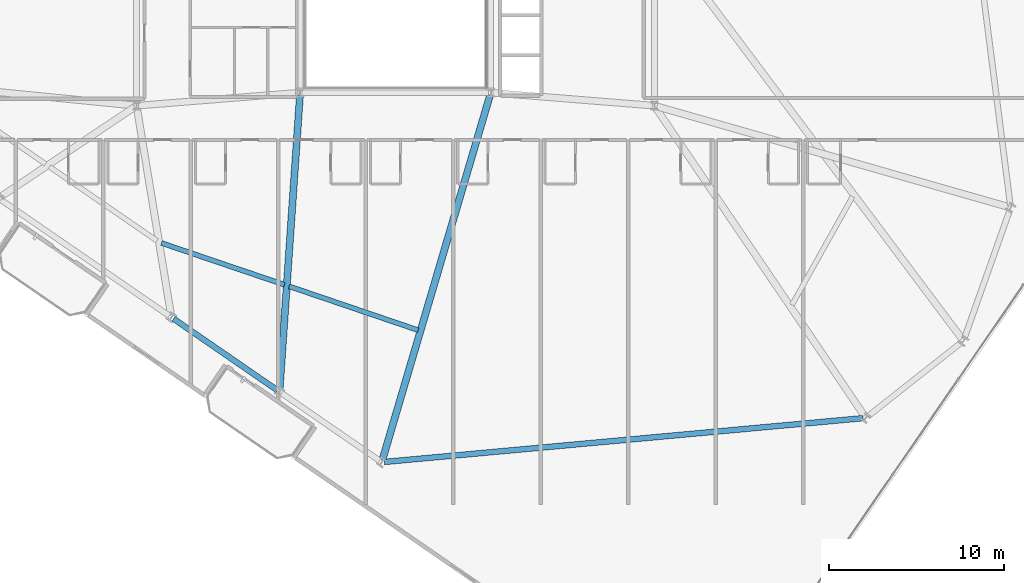
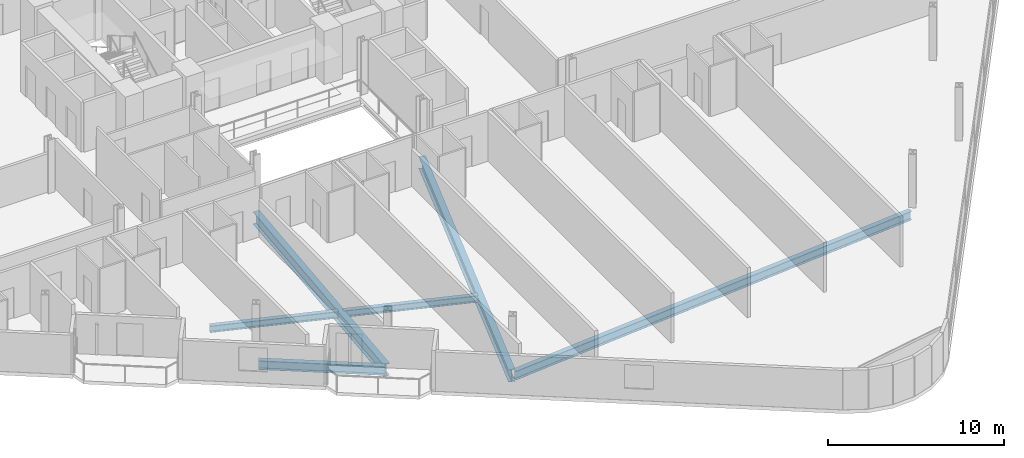
# One storey, part 3 of 27: 6 beams.
"""IFC4 building model written with IfcOpenShell, lengths in metres."""

from ifc_helpers import new_model, si_unit, direction, frame, origin, origin_2d, place, context, subcontext, project, spatial, i_section, extrude, material, material_profile, profile_set, type_object, element, save


model = new_model("IFC4")

# Units and contexts
model_context = context("Model", 3, precision=1e-05, world=origin(), true_north=direction((0.0, 1.0)))
body_context = subcontext(model_context, "Body", "Model", "MODEL_VIEW")
ifc_project = project(units=[si_unit("LENGTHUNIT", "METRE"), si_unit("AREAUNIT", "SQUARE_METRE"), si_unit("VOLUMEUNIT", "CUBIC_METRE"), si_unit("PLANEANGLEUNIT", "RADIAN"), si_unit("MASSUNIT", "GRAM", prefix="KILO")], contexts=[model_context])

# Site, building, storey
site_placement = place(None, origin())
site = spatial("IfcSite", under=ifc_project, at=site_placement, CompositionType="ELEMENT")
building_placement = place(site_placement, origin())
building = spatial("IfcBuilding", under=site, at=building_placement, Name="Varnelok Gate Tower", CompositionType="ELEMENT")
storey_placement = place(building_placement, frame((0.0, 0.0, 30.699951171875)))
storey = spatial("IfcBuildingStorey", under=building, at=storey_placement, Name="L06", CompositionType="ELEMENT", Elevation=30.699951171875)

# Beams
ifc_material = material(Name="Structural Steel ASTM A992 Grade 50", Category="steel")
ifc_material_profile_1 = material_profile(ifc_material, i_section(OverallWidth=0.280029296875, OverallDepth=0.462890625, WebThickness=0.0107421875, FlangeThickness=0.017333984375, FilletRadius=0.014892578125, at=origin_2d()), Name="W18X76")
ifc_profile_set_1 = profile_set([ifc_material_profile_1], Name="Structural Steel ASTM A992 Grade 50")
beam_type_1 = type_object("IfcBeamType", Name="BM-JST-W18X76", PredefinedType="JOIST", material=ifc_profile_set_1)
beam_1_placement = place(storey_placement, frame((25.81689453125, 10.95361328125, -0.4814453125), z_axis=(0.946964599395, -0.321337902358, 0.0), x_axis=(0.321337902358, 0.946964599395, 0.0)))
element("IfcBeam", 1, at=beam_1_placement, inside=storey, type_object=beam_type_1, Name="L06 Sector Floor Joist 3", PredefinedType="JOIST", context=body_context, shape_type="SweptSolid", body=[
    extrude(i_section(OverallWidth=0.280029296875, OverallDepth=0.462890625, WebThickness=0.0107421875, FlangeThickness=0.017333984375, FilletRadius=0.014892578125, at=origin_2d()), origin(), (0.0, 0.0, 1.0), 7.431884765625),
])
beam_2_placement = place(storey_placement, frame((33.119873046875, 8.4755859375, -0.4814453125), z_axis=(0.946770261525, -0.321910036953, 0.0), x_axis=(0.321910036953, 0.946770261525, 0.0)))
element("IfcBeam", 2, at=beam_2_placement, inside=storey, type_object=beam_type_1, Name="L06 Sector Floor Joist 4", PredefinedType="JOIST", context=body_context, shape_type="SweptSolid", body=[
    extrude(i_section(OverallWidth=0.280029296875, OverallDepth=0.462890625, WebThickness=0.0107421875, FlangeThickness=0.017333984375, FilletRadius=0.014892578125, at=origin_2d()), origin(), (0.0, 0.0, 1.0), 7.79052734375),
])
ifc_material_profile_2 = material_profile(ifc_material, i_section(OverallWidth=0.39892578125, OverallDepth=0.85498046875, WebThickness=0.018310546875, FlangeThickness=0.029296875, FilletRadius=0.02392578125, at=origin_2d()), Name="W33X201")
ifc_profile_set_2 = profile_set([ifc_material_profile_2], Name="Structural Steel ASTM A992 Grade 50")
beam_type_2 = type_object("IfcBeamType", Name="BM-PRI-W33X201", PredefinedType="BEAM", material=ifc_profile_set_2)
beam_3_placement = place(storey_placement, frame((33.73974609375, 19.400390625, -0.677490234375), z_axis=(-0.068990652765, -0.997617306301, 0.0), x_axis=(0.997617306301, -0.068990652765, 0.0)))
element("IfcBeam", 3, at=beam_3_placement, inside=storey, type_object=beam_type_2, Name="L06 Radial Floor Girder 4", PredefinedType="BEAM", context=body_context, shape_type="SweptSolid", body=[
    extrude(i_section(OverallWidth=0.39892578125, OverallDepth=0.85498046875, WebThickness=0.018310546875, FlangeThickness=0.029296875, FilletRadius=0.02392578125, at=origin_2d()), origin(), (0.0, 0.0, 1.0), 16.8408203125),
])
beam_4_placement = place(storey_placement, frame((44.607421875, 19.406005859375, -0.677490234375), z_axis=(-0.283059829362, -0.959102253673, 0.0), x_axis=(0.959102253673, -0.283059829362, 0.0)))
element("IfcBeam", 4, at=beam_4_placement, inside=storey, type_object=beam_type_2, Name="L06 Radial Floor Girder 5", PredefinedType="BEAM", context=body_context, shape_type="SweptSolid", body=[
    extrude(i_section(OverallWidth=0.39892578125, OverallDepth=0.85498046875, WebThickness=0.018310546875, FlangeThickness=0.029296875, FilletRadius=0.02392578125, at=origin_2d()), origin(), (0.0, 0.0, 1.0), 21.728271484375),
])
ifc_material_profile_3 = material_profile(ifc_material, i_section(OverallWidth=0.323974609375, OverallDepth=0.611083984375, WebThickness=0.0126953125, FlangeThickness=0.01904296875, FilletRadius=0.01806640625, at=origin_2d()), Name="W24X104")
ifc_profile_set_3 = profile_set([ifc_material_profile_3], Name="Structural Steel ASTM A992 Grade 50")
beam_type_3 = type_object("IfcBeamType", Name="BM-SPN-W24X104", PredefinedType="SPANDREL", material=ifc_profile_set_3)
beam_5_placement = place(storey_placement, frame((26.5146484375, 6.619384765625, -0.555419921875), z_axis=(0.823539986654, -0.56725822196, 0.0), x_axis=(0.56725822196, 0.823539986654, 0.0)))
element("IfcBeam", 5, at=beam_5_placement, inside=storey, type_object=beam_type_3, Name="L06 Perimeter Spandrel Beam 3", PredefinedType="SPANDREL", context=body_context, shape_type="SweptSolid", body=[
    extrude(i_section(OverallWidth=0.323974609375, OverallDepth=0.611083984375, WebThickness=0.0126953125, FlangeThickness=0.01904296875, FilletRadius=0.01806640625, at=origin_2d()), origin(), (0.0, 0.0, 1.0), 7.199951171875),
])
beam_6_placement = place(storey_placement, frame((38.56396484375, -1.563720703125, -0.555419921875), z_axis=(0.995845891963, 0.091054705864, 0.0), x_axis=(-0.091054705864, 0.995845891963, 0.0)))
element("IfcBeam", 6, at=beam_6_placement, inside=storey, type_object=beam_type_3, Name="L06 Perimeter Spandrel Beam 5", PredefinedType="SPANDREL", context=body_context, shape_type="SweptSolid", body=[
    extrude(i_section(OverallWidth=0.323974609375, OverallDepth=0.611083984375, WebThickness=0.0126953125, FlangeThickness=0.01904296875, FilletRadius=0.01806640625, at=origin_2d()), origin(), (0.0, 0.0, 1.0), 27.485595703125),
])

save(model, "model.ifc")
